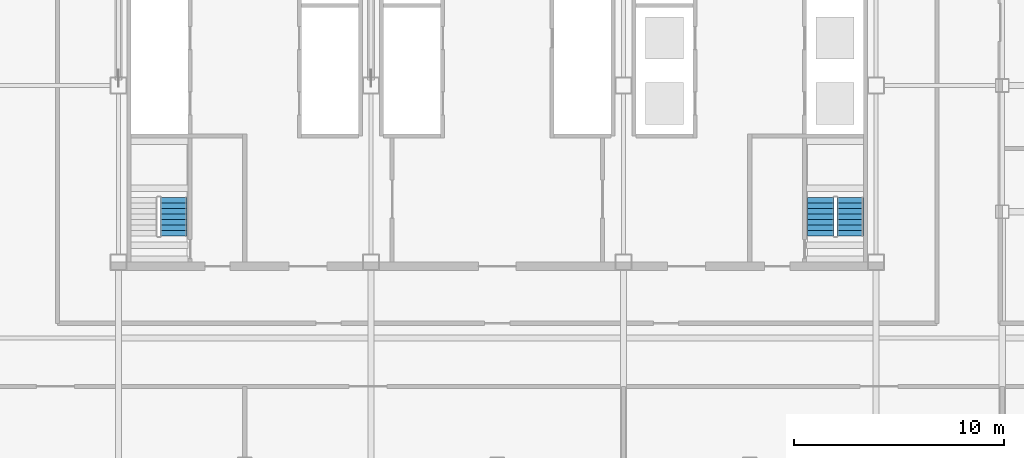
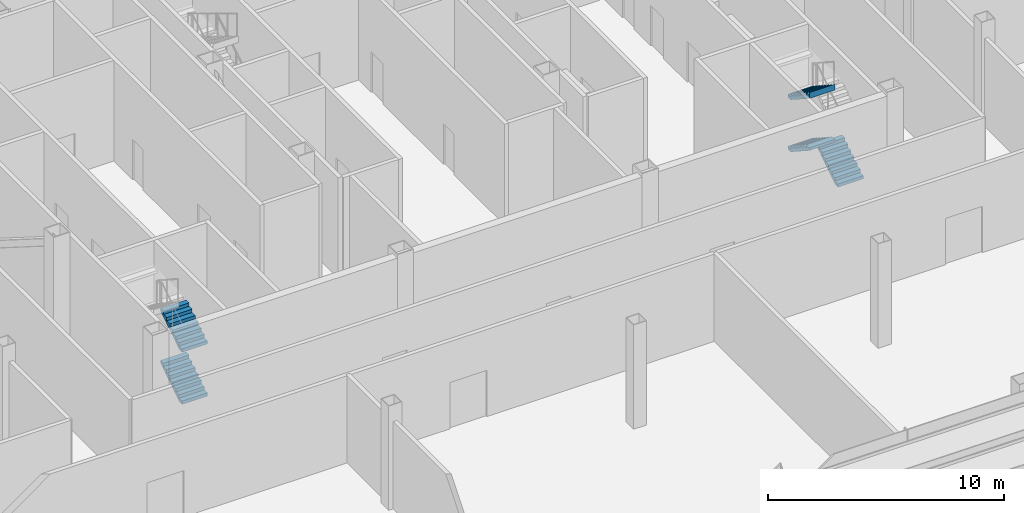
# One storey, part 19 of 24: 5 stair flights, 2 elements without a shape of their own.
"""IFC4 building model written with IfcOpenShell, lengths in metres."""

from ifc_helpers import new_model, si_unit, direction, frame, origin, place, context, subcontext, project, spatial, polyline, outline, extrude, material, type_object, element, aggregate, save


model = new_model("IFC4")

# Units and contexts
model_context = context("Model", 3, precision=1e-05, world=origin(), true_north=direction((0.0, 1.0)))
body_context = subcontext(model_context, "Body", "Model", "MODEL_VIEW")
ifc_project = project(units=[si_unit("LENGTHUNIT", "METRE"), si_unit("AREAUNIT", "SQUARE_METRE"), si_unit("VOLUMEUNIT", "CUBIC_METRE"), si_unit("PLANEANGLEUNIT", "RADIAN"), si_unit("MASSUNIT", "GRAM", prefix="KILO")], contexts=[model_context])

# Site, building, storey
site_placement = place(None, origin())
site = spatial("IfcSite", under=ifc_project, at=site_placement, CompositionType="ELEMENT")
building_placement = place(site_placement, origin())
building = spatial("IfcBuilding", under=site, at=building_placement, Name="Sorahane Residences", CompositionType="ELEMENT")
storey_placement = place(building_placement, frame((0.0, 0.0, 161.800048828125)))
storey = spatial("IfcBuildingStorey", under=building, at=storey_placement, Name="L37", CompositionType="ELEMENT", Elevation=161.800048828125)

# Stair, stair flights
ifc_material_1 = material(Name="Concrete C40", Category="concrete")
stair_type = type_object("IfcStairType", Name="Dog-leg stair 1250 Concrete C40", PredefinedType="HALF_TURN_STAIR", material=ifc_material_1)
stair_1_placement = place(storey_placement, origin())
stair_1 = element("IfcStair", 1, at=stair_1_placement, inside=storey, type_object=stair_type, Name="L37 Stair S4", PredefinedType="HALF_TURN_STAIR")
ifc_material_2 = material(Name="Concrete C40", Category="concrete")
stair_flight_type = type_object("IfcStairFlightType", Name="Stair flight 1250 Concrete C40", PredefinedType="STRAIGHT", material=ifc_material_2)
stair_flight_1_placement = place(storey_placement, frame((8.625, 22.85009765625, 0.0), z_axis=(0.0, 0.0, 1.0), x_axis=(0.0, 1.0, 0.0)))
stair_flight_1 = element("IfcStairFlight", 2, at=stair_flight_1_placement, type_object=stair_flight_type, Name="S4 flight 1", NumberOfRisers=8, NumberOfTreads=7, PredefinedType="STRAIGHT", RiserHeight=0.16875, TreadLength=0.26, context=body_context, shape_type="SweptSolid", body=[
    extrude(outline(polyline([(-0.00146484375, 0.0), (-0.00146484375, 0.002197265625), (-0.00146484375, 0.004150390625), (-0.00146484375, 0.00634765625), (-0.00146484375, 0.00830078125), (-0.00146484375, 0.010498046875), (-0.00146484375, 0.012451171875), (-0.00146484375, 0.0146484375), (-0.00146484375, 0.0166015625), (-0.00146484375, 0.018798828125), (-0.00146484375, 0.020751953125), (-0.00146484375, 0.02294921875), (-0.00146484375, 0.02490234375), (-0.00146484375, 0.027099609375), (-0.00146484375, 0.029052734375), (-0.00146484375, 0.03125), (-0.00146484375, 0.033447265625), (-0.00146484375, 0.035400390625), (-0.00146484375, 0.03759765625), (-0.00146484375, 0.03955078125), (-0.00146484375, 0.041748046875), (-0.00146484375, 0.043701171875), (-0.00146484375, 0.0458984375), (-0.00146484375, 0.0478515625), (-0.00146484375, 0.050048828125), (-0.00146484375, 0.052001953125), (-0.00146484375, 0.05419921875), (-0.00146484375, 0.05615234375), (-0.00146484375, 0.058349609375), (-0.00146484375, 0.060302734375), (-0.00146484375, 0.0625), (-0.00146484375, 0.064697265625), (-0.00146484375, 0.066650390625), (-0.00146484375, 0.06884765625), (-0.00146484375, 0.07080078125), (-0.00146484375, 0.072998046875), (-0.00146484375, 0.074951171875), (-0.00146484375, 0.0771484375), (-0.00146484375, 0.0791015625), (-0.00146484375, 0.081298828125), (-0.00146484375, 0.083251953125), (-0.00146484375, 0.08544921875), (-0.00146484375, 0.08740234375), (-0.00146484375, 0.089599609375), (-0.00146484375, 0.091552734375), (-0.00146484375, 0.09375), (-0.00146484375, 0.095947265625), (-0.00146484375, 0.097900390625), (-0.00146484375, 0.10009765625), (-0.00146484375, 0.10205078125), (-0.00146484375, 0.104248046875), (-0.00146484375, 0.106201171875), (-0.00146484375, 0.1083984375), (-0.00146484375, 0.1103515625), (-0.00146484375, 0.112548828125), (-0.00146484375, 0.114501953125), (-0.00146484375, 0.11669921875), (-0.00146484375, 0.11865234375), (-0.00146484375, 0.120849609375), (-0.00146484375, 0.122802734375), (-0.00146484375, 0.125), (-0.00146484375, 0.127197265625), (-0.00146484375, 0.129150390625), (-0.00146484375, 0.13134765625), (-0.00146484375, 0.13330078125), (-0.00146484375, 0.135498046875), (-0.00146484375, 0.137451171875), (-0.00146484375, 0.1396484375), (-0.00146484375, 0.1416015625), (-0.00146484375, 0.143798828125), (-0.00146484375, 0.145751953125), (-0.00146484375, 0.14794921875), (-0.00146484375, 0.14990234375), (-0.00146484375, 0.152099609375), (-0.00146484375, 0.154052734375), (-0.00146484375, 0.15625), (-0.00146484375, 0.158447265625), (-0.00146484375, 0.160400390625), (-0.00146484375, 0.16259765625), (-0.00146484375, 0.16455078125), (-0.00146484375, 0.166748046875), (-0.00146484375, 0.168701171875), (0.0, 0.168701171875), (0.260009765625, 0.168701171875), (0.260009765625, 0.33740234375), (0.52001953125, 0.33740234375), (0.52001953125, 0.50634765625), (0.780029296875, 0.50634765625), (0.780029296875, 0.675048828125), (1.0400390625, 0.675048828125), (1.0400390625, 0.84375), (1.300048828125, 0.84375), (1.300048828125, 1.012451171875), (1.56005859375, 1.012451171875), (1.56005859375, 1.18115234375), (1.820068359375, 1.18115234375), (1.820068359375, 1.35009765625), (1.820068359375, 1.34619140625), (1.820068359375, 1.34228515625), (1.820068359375, 1.33837890625), (1.820068359375, 1.334716796875), (1.820068359375, 1.330810546875), (1.820068359375, 1.326904296875), (1.820068359375, 1.322998046875), (1.820068359375, 1.319091796875), (1.820068359375, 1.3154296875), (1.820068359375, 1.3115234375), (1.820068359375, 1.3076171875), (1.820068359375, 1.3037109375), (1.820068359375, 1.300048828125), (1.820068359375, 1.296142578125), (1.820068359375, 1.292236328125), (1.820068359375, 1.288330078125), (1.820068359375, 1.284423828125), (1.820068359375, 1.28076171875), (1.820068359375, 1.27685546875), (1.820068359375, 1.27294921875), (1.820068359375, 1.26904296875), (1.820068359375, 1.265380859375), (1.820068359375, 1.261474609375), (1.820068359375, 1.257568359375), (1.820068359375, 1.253662109375), (1.820068359375, 1.249755859375), (1.820068359375, 1.24609375), (1.820068359375, 1.2421875), (1.820068359375, 1.23828125), (1.820068359375, 1.234375), (1.820068359375, 1.230712890625), (1.820068359375, 1.226806640625), (1.820068359375, 1.222900390625), (1.820068359375, 1.218994140625), (1.820068359375, 1.215087890625), (1.820068359375, 1.21142578125), (1.820068359375, 1.20751953125), (1.820068359375, 1.20361328125), (1.820068359375, 1.19970703125), (1.820068359375, 1.196044921875), (1.820068359375, 1.192138671875), (1.820068359375, 1.188232421875), (1.820068359375, 1.184326171875), (1.820068359375, 1.1806640625), (1.820068359375, 1.1767578125), (1.820068359375, 1.1728515625), (1.820068359375, 1.1689453125), (1.820068359375, 1.1650390625), (1.820068359375, 1.161376953125), (1.820068359375, 1.157470703125), (1.820068359375, 1.153564453125), (1.820068359375, 1.149658203125), (1.820068359375, 1.14599609375), (1.820068359375, 1.14208984375), (1.820068359375, 1.13818359375), (1.820068359375, 1.13427734375), (1.820068359375, 1.13037109375), (1.820068359375, 1.126708984375), (1.820068359375, 1.122802734375), (1.820068359375, 1.118896484375), (1.820068359375, 1.114990234375), (1.820068359375, 1.111328125), (1.820068359375, 1.107421875), (1.820068359375, 1.103515625), (1.820068359375, 1.099609375), (1.820068359375, 1.095703125), (1.820068359375, 1.092041015625), (1.820068359375, 1.088134765625), (1.820068359375, 1.084228515625), (1.820068359375, 1.080322265625), (1.820068359375, 1.07666015625), (1.820068359375, 1.07275390625), (1.820068359375, 1.06884765625), (1.820068359375, 1.06494140625), (1.820068359375, 1.061279296875), (1.820068359375, 1.057373046875), (1.820068359375, 1.053466796875), (1.820068359375, 1.049560546875), (1.820068359375, 1.045654296875), (1.820068359375, 1.0419921875), (1.820068359375, 1.0380859375), (1.642333984375, 0.922607421875), (1.464599609375, 0.807373046875), (1.286865234375, 0.692138671875), (1.109130859375, 0.57666015625), (0.931396484375, 0.46142578125), (0.753662109375, 0.345947265625), (0.575927734375, 0.230712890625), (0.3984375, 0.115234375), (0.220703125, 0.0), (-0.00146484375, 0.0)])), frame((0.0, 0.625, 0.0), z_axis=(0.0, -1.0, 0.0), x_axis=(1.0, 0.0, 0.0)), (0.0, 0.0, 1.0), 1.25),
])
stair_flight_2_placement = place(storey_placement, frame((8.625, 22.85009765625, 2.699951171875), z_axis=(0.0, 0.0, 1.0), x_axis=(0.0, 1.0, 0.0)))
stair_flight_2 = element("IfcStairFlight", 3, at=stair_flight_2_placement, type_object=stair_flight_type, Name="S4 flight 3", NumberOfRisers=8, NumberOfTreads=7, PredefinedType="STRAIGHT", RiserHeight=0.16875, TreadLength=0.26, context=body_context, shape_type="SweptSolid", body=[
    extrude(outline(polyline([(0.0, 0.0), (0.0, 0.002197265625), (0.0, 0.004150390625), (0.0, 0.00634765625), (0.0, 0.00830078125), (0.0, 0.010498046875), (0.0, 0.012451171875), (0.0, 0.0146484375), (0.0, 0.0166015625), (0.0, 0.018798828125), (0.0, 0.020751953125), (0.0, 0.02294921875), (0.0, 0.02490234375), (0.0, 0.027099609375), (0.0, 0.029052734375), (0.0, 0.03125), (0.0, 0.033447265625), (0.0, 0.035400390625), (0.0, 0.03759765625), (0.0, 0.03955078125), (0.0, 0.041748046875), (0.0, 0.043701171875), (0.0, 0.0458984375), (0.0, 0.0478515625), (0.0, 0.050048828125), (0.0, 0.052001953125), (0.0, 0.05419921875), (0.0, 0.05615234375), (0.0, 0.058349609375), (0.0, 0.060302734375), (0.0, 0.0625), (0.0, 0.064697265625), (0.0, 0.066650390625), (0.0, 0.06884765625), (0.0, 0.07080078125), (0.0, 0.072998046875), (0.0, 0.074951171875), (0.0, 0.0771484375), (0.0, 0.0791015625), (0.0, 0.081298828125), (0.0, 0.083251953125), (0.0, 0.08544921875), (0.0, 0.08740234375), (0.0, 0.089599609375), (0.0, 0.091552734375), (0.0, 0.09375), (0.0, 0.095947265625), (0.0, 0.097900390625), (0.0, 0.10009765625), (0.0, 0.10205078125), (0.0, 0.104248046875), (0.0, 0.106201171875), (0.0, 0.1083984375), (0.0, 0.1103515625), (0.0, 0.112548828125), (0.0, 0.114501953125), (0.0, 0.11669921875), (0.0, 0.11865234375), (0.0, 0.120849609375), (0.0, 0.122802734375), (0.0, 0.125), (0.0, 0.127197265625), (0.0, 0.129150390625), (0.0, 0.13134765625), (0.0, 0.13330078125), (0.0, 0.135498046875), (0.0, 0.137451171875), (0.0, 0.1396484375), (0.0, 0.1416015625), (0.0, 0.143798828125), (0.0, 0.145751953125), (0.0, 0.14794921875), (0.0, 0.14990234375), (0.0, 0.152099609375), (0.0, 0.154052734375), (0.0, 0.15625), (0.0, 0.158447265625), (0.0, 0.160400390625), (0.0, 0.16259765625), (0.0, 0.16455078125), (0.0, 0.166748046875), (0.0, 0.168701171875), (0.260009765625, 0.168701171875), (0.260009765625, 0.33740234375), (0.52001953125, 0.33740234375), (0.52001953125, 0.50634765625), (0.780029296875, 0.50634765625), (0.780029296875, 0.675048828125), (1.0400390625, 0.675048828125), (1.0400390625, 0.84375), (1.300048828125, 0.84375), (1.300048828125, 1.012451171875), (1.56005859375, 1.012451171875), (1.56005859375, 1.18115234375), (1.820068359375, 1.18115234375), (1.820068359375, 1.35009765625), (1.820068359375, 1.34619140625), (1.820068359375, 1.34228515625), (1.820068359375, 1.33837890625), (1.820068359375, 1.334716796875), (1.820068359375, 1.330810546875), (1.820068359375, 1.326904296875), (1.820068359375, 1.322998046875), (1.820068359375, 1.319091796875), (1.820068359375, 1.3154296875), (1.820068359375, 1.3115234375), (1.820068359375, 1.3076171875), (1.820068359375, 1.3037109375), (1.820068359375, 1.300048828125), (1.820068359375, 1.296142578125), (1.820068359375, 1.292236328125), (1.820068359375, 1.288330078125), (1.820068359375, 1.284423828125), (1.820068359375, 1.28076171875), (1.820068359375, 1.27685546875), (1.820068359375, 1.27294921875), (1.820068359375, 1.26904296875), (1.820068359375, 1.265380859375), (1.820068359375, 1.261474609375), (1.820068359375, 1.257568359375), (1.820068359375, 1.253662109375), (1.820068359375, 1.249755859375), (1.820068359375, 1.24609375), (1.820068359375, 1.2421875), (1.820068359375, 1.23828125), (1.820068359375, 1.234375), (1.820068359375, 1.230712890625), (1.820068359375, 1.226806640625), (1.820068359375, 1.222900390625), (1.820068359375, 1.218994140625), (1.820068359375, 1.215087890625), (1.820068359375, 1.21142578125), (1.820068359375, 1.20751953125), (1.820068359375, 1.20361328125), (1.820068359375, 1.19970703125), (1.820068359375, 1.196044921875), (1.820068359375, 1.192138671875), (1.820068359375, 1.188232421875), (1.820068359375, 1.184326171875), (1.820068359375, 1.1806640625), (1.820068359375, 1.1767578125), (1.820068359375, 1.1728515625), (1.820068359375, 1.1689453125), (1.820068359375, 1.1650390625), (1.820068359375, 1.161376953125), (1.820068359375, 1.157470703125), (1.820068359375, 1.153564453125), (1.820068359375, 1.149658203125), (1.820068359375, 1.14599609375), (1.820068359375, 1.14208984375), (1.820068359375, 1.13818359375), (1.820068359375, 1.13427734375), (1.820068359375, 1.13037109375), (1.820068359375, 1.126708984375), (1.820068359375, 1.122802734375), (1.820068359375, 1.118896484375), (1.820068359375, 1.114990234375), (1.820068359375, 1.111328125), (1.820068359375, 1.107421875), (1.820068359375, 1.103515625), (1.820068359375, 1.099609375), (1.820068359375, 1.095703125), (1.820068359375, 1.092041015625), (1.820068359375, 1.088134765625), (1.820068359375, 1.084228515625), (1.820068359375, 1.080322265625), (1.820068359375, 1.07666015625), (1.820068359375, 1.07275390625), (1.820068359375, 1.06884765625), (1.820068359375, 1.06494140625), (1.820068359375, 1.061279296875), (1.820068359375, 1.057373046875), (1.820068359375, 1.053466796875), (1.820068359375, 1.049560546875), (1.820068359375, 1.045654296875), (1.820068359375, 1.0419921875), (1.820068359375, 1.0380859375), (1.6201171875, 0.908203125), (1.420166015625, 0.778564453125), (1.22021484375, 0.648681640625), (1.020263671875, 0.51904296875), (0.8203125, 0.38916015625), (0.620361328125, 0.259521484375), (0.420654296875, 0.129638671875), (0.220703125, 0.0), (0.0, 0.0)])), frame((0.0, 0.625, 0.0), z_axis=(0.0, -1.0, 0.0), x_axis=(1.0, 0.0, 0.0)), (0.0, 0.0, 1.0), 1.25),
])
aggregate(stair_1, [stair_flight_1, stair_flight_2])

stair_2_placement = place(storey_placement, origin())
stair_2 = element("IfcStair", 4, at=stair_2_placement, inside=storey, type_object=stair_type, Name="L37 Stair S5", PredefinedType="HALF_TURN_STAIR")
stair_flight_3_placement = place(storey_placement, frame((40.77490234375, 22.85009765625, 0.0), z_axis=(0.0, 0.0, 1.0), x_axis=(0.0, 1.0, 0.0)))
stair_flight_3 = element("IfcStairFlight", 5, at=stair_flight_3_placement, type_object=stair_flight_type, Name="S5 flight 1", NumberOfRisers=8, NumberOfTreads=7, PredefinedType="STRAIGHT", RiserHeight=0.16875, TreadLength=0.26, context=body_context, shape_type="SweptSolid", body=[
    extrude(outline(polyline([(-0.00146484375, 0.0), (-0.00146484375, 0.002197265625), (-0.00146484375, 0.004150390625), (-0.00146484375, 0.00634765625), (-0.00146484375, 0.00830078125), (-0.00146484375, 0.010498046875), (-0.00146484375, 0.012451171875), (-0.00146484375, 0.0146484375), (-0.00146484375, 0.0166015625), (-0.00146484375, 0.018798828125), (-0.00146484375, 0.020751953125), (-0.00146484375, 0.02294921875), (-0.00146484375, 0.02490234375), (-0.00146484375, 0.027099609375), (-0.00146484375, 0.029052734375), (-0.00146484375, 0.03125), (-0.00146484375, 0.033447265625), (-0.00146484375, 0.035400390625), (-0.00146484375, 0.03759765625), (-0.00146484375, 0.03955078125), (-0.00146484375, 0.041748046875), (-0.00146484375, 0.043701171875), (-0.00146484375, 0.0458984375), (-0.00146484375, 0.0478515625), (-0.00146484375, 0.050048828125), (-0.00146484375, 0.052001953125), (-0.00146484375, 0.05419921875), (-0.00146484375, 0.05615234375), (-0.00146484375, 0.058349609375), (-0.00146484375, 0.060302734375), (-0.00146484375, 0.0625), (-0.00146484375, 0.064697265625), (-0.00146484375, 0.066650390625), (-0.00146484375, 0.06884765625), (-0.00146484375, 0.07080078125), (-0.00146484375, 0.072998046875), (-0.00146484375, 0.074951171875), (-0.00146484375, 0.0771484375), (-0.00146484375, 0.0791015625), (-0.00146484375, 0.081298828125), (-0.00146484375, 0.083251953125), (-0.00146484375, 0.08544921875), (-0.00146484375, 0.08740234375), (-0.00146484375, 0.089599609375), (-0.00146484375, 0.091552734375), (-0.00146484375, 0.09375), (-0.00146484375, 0.095947265625), (-0.00146484375, 0.097900390625), (-0.00146484375, 0.10009765625), (-0.00146484375, 0.10205078125), (-0.00146484375, 0.104248046875), (-0.00146484375, 0.106201171875), (-0.00146484375, 0.1083984375), (-0.00146484375, 0.1103515625), (-0.00146484375, 0.112548828125), (-0.00146484375, 0.114501953125), (-0.00146484375, 0.11669921875), (-0.00146484375, 0.11865234375), (-0.00146484375, 0.120849609375), (-0.00146484375, 0.122802734375), (-0.00146484375, 0.125), (-0.00146484375, 0.127197265625), (-0.00146484375, 0.129150390625), (-0.00146484375, 0.13134765625), (-0.00146484375, 0.13330078125), (-0.00146484375, 0.135498046875), (-0.00146484375, 0.137451171875), (-0.00146484375, 0.1396484375), (-0.00146484375, 0.1416015625), (-0.00146484375, 0.143798828125), (-0.00146484375, 0.145751953125), (-0.00146484375, 0.14794921875), (-0.00146484375, 0.14990234375), (-0.00146484375, 0.152099609375), (-0.00146484375, 0.154052734375), (-0.00146484375, 0.15625), (-0.00146484375, 0.158447265625), (-0.00146484375, 0.160400390625), (-0.00146484375, 0.16259765625), (-0.00146484375, 0.16455078125), (-0.00146484375, 0.166748046875), (-0.00146484375, 0.168701171875), (0.0, 0.168701171875), (0.260009765625, 0.168701171875), (0.260009765625, 0.33740234375), (0.52001953125, 0.33740234375), (0.52001953125, 0.50634765625), (0.780029296875, 0.50634765625), (0.780029296875, 0.675048828125), (1.0400390625, 0.675048828125), (1.0400390625, 0.84375), (1.300048828125, 0.84375), (1.300048828125, 1.012451171875), (1.56005859375, 1.012451171875), (1.56005859375, 1.18115234375), (1.820068359375, 1.18115234375), (1.820068359375, 1.35009765625), (1.820068359375, 1.34619140625), (1.820068359375, 1.34228515625), (1.820068359375, 1.33837890625), (1.820068359375, 1.334716796875), (1.820068359375, 1.330810546875), (1.820068359375, 1.326904296875), (1.820068359375, 1.322998046875), (1.820068359375, 1.319091796875), (1.820068359375, 1.3154296875), (1.820068359375, 1.3115234375), (1.820068359375, 1.3076171875), (1.820068359375, 1.3037109375), (1.820068359375, 1.300048828125), (1.820068359375, 1.296142578125), (1.820068359375, 1.292236328125), (1.820068359375, 1.288330078125), (1.820068359375, 1.284423828125), (1.820068359375, 1.28076171875), (1.820068359375, 1.27685546875), (1.820068359375, 1.27294921875), (1.820068359375, 1.26904296875), (1.820068359375, 1.265380859375), (1.820068359375, 1.261474609375), (1.820068359375, 1.257568359375), (1.820068359375, 1.253662109375), (1.820068359375, 1.249755859375), (1.820068359375, 1.24609375), (1.820068359375, 1.2421875), (1.820068359375, 1.23828125), (1.820068359375, 1.234375), (1.820068359375, 1.230712890625), (1.820068359375, 1.226806640625), (1.820068359375, 1.222900390625), (1.820068359375, 1.218994140625), (1.820068359375, 1.215087890625), (1.820068359375, 1.21142578125), (1.820068359375, 1.20751953125), (1.820068359375, 1.20361328125), (1.820068359375, 1.19970703125), (1.820068359375, 1.196044921875), (1.820068359375, 1.192138671875), (1.820068359375, 1.188232421875), (1.820068359375, 1.184326171875), (1.820068359375, 1.1806640625), (1.820068359375, 1.1767578125), (1.820068359375, 1.1728515625), (1.820068359375, 1.1689453125), (1.820068359375, 1.1650390625), (1.820068359375, 1.161376953125), (1.820068359375, 1.157470703125), (1.820068359375, 1.153564453125), (1.820068359375, 1.149658203125), (1.820068359375, 1.14599609375), (1.820068359375, 1.14208984375), (1.820068359375, 1.13818359375), (1.820068359375, 1.13427734375), (1.820068359375, 1.13037109375), (1.820068359375, 1.126708984375), (1.820068359375, 1.122802734375), (1.820068359375, 1.118896484375), (1.820068359375, 1.114990234375), (1.820068359375, 1.111328125), (1.820068359375, 1.107421875), (1.820068359375, 1.103515625), (1.820068359375, 1.099609375), (1.820068359375, 1.095703125), (1.820068359375, 1.092041015625), (1.820068359375, 1.088134765625), (1.820068359375, 1.084228515625), (1.820068359375, 1.080322265625), (1.820068359375, 1.07666015625), (1.820068359375, 1.07275390625), (1.820068359375, 1.06884765625), (1.820068359375, 1.06494140625), (1.820068359375, 1.061279296875), (1.820068359375, 1.057373046875), (1.820068359375, 1.053466796875), (1.820068359375, 1.049560546875), (1.820068359375, 1.045654296875), (1.820068359375, 1.0419921875), (1.820068359375, 1.0380859375), (1.642333984375, 0.922607421875), (1.464599609375, 0.807373046875), (1.286865234375, 0.692138671875), (1.109130859375, 0.57666015625), (0.931396484375, 0.46142578125), (0.753662109375, 0.345947265625), (0.575927734375, 0.230712890625), (0.3984375, 0.115234375), (0.220703125, 0.0), (-0.00146484375, 0.0)])), frame((0.0, 0.625, 0.0), z_axis=(0.0, -1.0, 0.0), x_axis=(1.0, 0.0, 0.0)), (0.0, 0.0, 1.0), 1.25),
])
stair_flight_4_placement = place(storey_placement, frame((39.375, 24.669921875, 1.349853515625), z_axis=(0.0, 0.0, 1.0), x_axis=(0.0, -1.0, 0.0)))
stair_flight_4 = element("IfcStairFlight", 6, at=stair_flight_4_placement, type_object=stair_flight_type, Name="S5 flight 2", NumberOfRisers=8, NumberOfTreads=7, PredefinedType="STRAIGHT", RiserHeight=0.16875, TreadLength=0.26, context=body_context, shape_type="SweptSolid", body=[
    extrude(outline(polyline([(0.0, 0.0), (0.0, 0.002197265625), (0.0, 0.004150390625), (0.0, 0.00634765625), (0.0, 0.00830078125), (0.0, 0.010498046875), (0.0, 0.012451171875), (0.0, 0.0146484375), (0.0, 0.0166015625), (0.0, 0.018798828125), (0.0, 0.020751953125), (0.0, 0.02294921875), (0.0, 0.02490234375), (0.0, 0.027099609375), (0.0, 0.029052734375), (0.0, 0.03125), (0.0, 0.033447265625), (0.0, 0.035400390625), (0.0, 0.03759765625), (0.0, 0.03955078125), (0.0, 0.041748046875), (0.0, 0.043701171875), (0.0, 0.0458984375), (0.0, 0.0478515625), (0.0, 0.050048828125), (0.0, 0.052001953125), (0.0, 0.05419921875), (0.0, 0.05615234375), (0.0, 0.058349609375), (0.0, 0.060302734375), (0.0, 0.0625), (0.0, 0.064697265625), (0.0, 0.066650390625), (0.0, 0.06884765625), (0.0, 0.07080078125), (0.0, 0.072998046875), (0.0, 0.074951171875), (0.0, 0.0771484375), (0.0, 0.0791015625), (0.0, 0.081298828125), (0.0, 0.083251953125), (0.0, 0.08544921875), (0.0, 0.08740234375), (0.0, 0.089599609375), (0.0, 0.091552734375), (0.0, 0.09375), (0.0, 0.095947265625), (0.0, 0.097900390625), (0.0, 0.10009765625), (0.0, 0.10205078125), (0.0, 0.104248046875), (0.0, 0.106201171875), (0.0, 0.1083984375), (0.0, 0.1103515625), (0.0, 0.112548828125), (0.0, 0.114501953125), (0.0, 0.11669921875), (0.0, 0.11865234375), (0.0, 0.120849609375), (0.0, 0.122802734375), (0.0, 0.125), (0.0, 0.127197265625), (0.0, 0.129150390625), (0.0, 0.13134765625), (0.0, 0.13330078125), (0.0, 0.135498046875), (0.0, 0.137451171875), (0.0, 0.1396484375), (0.0, 0.1416015625), (0.0, 0.143798828125), (0.0, 0.145751953125), (0.0, 0.14794921875), (0.0, 0.14990234375), (0.0, 0.152099609375), (0.0, 0.154052734375), (0.0, 0.15625), (0.0, 0.158447265625), (0.0, 0.160400390625), (0.0, 0.16259765625), (0.0, 0.16455078125), (0.0, 0.166748046875), (0.0, 0.168701171875), (0.260009765625, 0.168701171875), (0.260009765625, 0.33740234375), (0.52001953125, 0.33740234375), (0.52001953125, 0.50634765625), (0.780029296875, 0.50634765625), (0.780029296875, 0.675048828125), (1.0400390625, 0.675048828125), (1.0400390625, 0.84375), (1.300048828125, 0.84375), (1.300048828125, 1.012451171875), (1.56005859375, 1.012451171875), (1.56005859375, 1.18115234375), (1.820068359375, 1.18115234375), (1.820068359375, 1.35009765625), (1.820068359375, 1.34619140625), (1.820068359375, 1.34228515625), (1.820068359375, 1.33837890625), (1.820068359375, 1.334716796875), (1.820068359375, 1.330810546875), (1.820068359375, 1.326904296875), (1.820068359375, 1.322998046875), (1.820068359375, 1.319091796875), (1.820068359375, 1.3154296875), (1.820068359375, 1.3115234375), (1.820068359375, 1.3076171875), (1.820068359375, 1.3037109375), (1.820068359375, 1.300048828125), (1.820068359375, 1.296142578125), (1.820068359375, 1.292236328125), (1.820068359375, 1.288330078125), (1.820068359375, 1.284423828125), (1.820068359375, 1.28076171875), (1.820068359375, 1.27685546875), (1.820068359375, 1.27294921875), (1.820068359375, 1.26904296875), (1.820068359375, 1.265380859375), (1.820068359375, 1.261474609375), (1.820068359375, 1.257568359375), (1.820068359375, 1.253662109375), (1.820068359375, 1.249755859375), (1.820068359375, 1.24609375), (1.820068359375, 1.2421875), (1.820068359375, 1.23828125), (1.820068359375, 1.234375), (1.820068359375, 1.230712890625), (1.820068359375, 1.226806640625), (1.820068359375, 1.222900390625), (1.820068359375, 1.218994140625), (1.820068359375, 1.215087890625), (1.820068359375, 1.21142578125), (1.820068359375, 1.20751953125), (1.820068359375, 1.20361328125), (1.820068359375, 1.19970703125), (1.820068359375, 1.196044921875), (1.820068359375, 1.192138671875), (1.820068359375, 1.188232421875), (1.820068359375, 1.184326171875), (1.820068359375, 1.1806640625), (1.820068359375, 1.1767578125), (1.820068359375, 1.1728515625), (1.820068359375, 1.1689453125), (1.820068359375, 1.1650390625), (1.820068359375, 1.161376953125), (1.820068359375, 1.157470703125), (1.820068359375, 1.153564453125), (1.820068359375, 1.149658203125), (1.820068359375, 1.14599609375), (1.820068359375, 1.14208984375), (1.820068359375, 1.13818359375), (1.820068359375, 1.13427734375), (1.820068359375, 1.13037109375), (1.820068359375, 1.126708984375), (1.820068359375, 1.122802734375), (1.820068359375, 1.118896484375), (1.820068359375, 1.114990234375), (1.820068359375, 1.111328125), (1.820068359375, 1.107421875), (1.820068359375, 1.103515625), (1.820068359375, 1.099609375), (1.820068359375, 1.095703125), (1.820068359375, 1.092041015625), (1.820068359375, 1.088134765625), (1.820068359375, 1.084228515625), (1.820068359375, 1.080322265625), (1.820068359375, 1.07666015625), (1.820068359375, 1.07275390625), (1.820068359375, 1.06884765625), (1.820068359375, 1.06494140625), (1.820068359375, 1.061279296875), (1.820068359375, 1.057373046875), (1.820068359375, 1.053466796875), (1.820068359375, 1.049560546875), (1.820068359375, 1.045654296875), (1.820068359375, 1.0419921875), (1.820068359375, 1.0380859375), (1.6201171875, 0.908203125), (1.420166015625, 0.778564453125), (1.22021484375, 0.648681640625), (1.020263671875, 0.51904296875), (0.8203125, 0.38916015625), (0.620361328125, 0.259521484375), (0.420654296875, 0.129638671875), (0.220703125, 0.0), (0.0, 0.0)])), frame((0.0, 0.625, 0.0), z_axis=(0.0, -1.0, 0.0), x_axis=(1.0, 0.0, 0.0)), (0.0, 0.0, 1.0), 1.25),
])
stair_flight_5_placement = place(storey_placement, frame((39.375, 24.669921875, 4.050048828125), z_axis=(0.0, 0.0, 1.0), x_axis=(0.0, -1.0, 0.0)))
stair_flight_5 = element("IfcStairFlight", 7, at=stair_flight_5_placement, type_object=stair_flight_type, Name="S5 flight 4", NumberOfRisers=8, NumberOfTreads=7, PredefinedType="STRAIGHT", RiserHeight=0.16875, TreadLength=0.26, context=body_context, shape_type="SweptSolid", body=[
    extrude(outline(polyline([(0.0, 0.0), (0.0, 0.002197265625), (0.0, 0.004150390625), (0.0, 0.00634765625), (0.0, 0.00830078125), (0.0, 0.010498046875), (0.0, 0.012451171875), (0.0, 0.0146484375), (0.0, 0.0166015625), (0.0, 0.018798828125), (0.0, 0.020751953125), (0.0, 0.02294921875), (0.0, 0.02490234375), (0.0, 0.027099609375), (0.0, 0.029052734375), (0.0, 0.03125), (0.0, 0.033447265625), (0.0, 0.035400390625), (0.0, 0.03759765625), (0.0, 0.03955078125), (0.0, 0.041748046875), (0.0, 0.043701171875), (0.0, 0.0458984375), (0.0, 0.0478515625), (0.0, 0.050048828125), (0.0, 0.052001953125), (0.0, 0.05419921875), (0.0, 0.05615234375), (0.0, 0.058349609375), (0.0, 0.060302734375), (0.0, 0.0625), (0.0, 0.064697265625), (0.0, 0.066650390625), (0.0, 0.06884765625), (0.0, 0.07080078125), (0.0, 0.072998046875), (0.0, 0.074951171875), (0.0, 0.0771484375), (0.0, 0.0791015625), (0.0, 0.081298828125), (0.0, 0.083251953125), (0.0, 0.08544921875), (0.0, 0.08740234375), (0.0, 0.089599609375), (0.0, 0.091552734375), (0.0, 0.09375), (0.0, 0.095947265625), (0.0, 0.097900390625), (0.0, 0.10009765625), (0.0, 0.10205078125), (0.0, 0.104248046875), (0.0, 0.106201171875), (0.0, 0.1083984375), (0.0, 0.1103515625), (0.0, 0.112548828125), (0.0, 0.114501953125), (0.0, 0.11669921875), (0.0, 0.11865234375), (0.0, 0.120849609375), (0.0, 0.122802734375), (0.0, 0.125), (0.0, 0.127197265625), (0.0, 0.129150390625), (0.0, 0.13134765625), (0.0, 0.13330078125), (0.0, 0.135498046875), (0.0, 0.137451171875), (0.0, 0.1396484375), (0.0, 0.1416015625), (0.0, 0.143798828125), (0.0, 0.145751953125), (0.0, 0.14794921875), (0.0, 0.14990234375), (0.0, 0.152099609375), (0.0, 0.154052734375), (0.0, 0.15625), (0.0, 0.158447265625), (0.0, 0.160400390625), (0.0, 0.16259765625), (0.0, 0.16455078125), (0.0, 0.166748046875), (0.0, 0.168701171875), (0.260009765625, 0.168701171875), (0.260009765625, 0.33740234375), (0.52001953125, 0.33740234375), (0.52001953125, 0.50634765625), (0.780029296875, 0.50634765625), (0.780029296875, 0.675048828125), (1.0400390625, 0.675048828125), (1.0400390625, 0.84375), (1.300048828125, 0.84375), (1.300048828125, 1.012451171875), (1.56005859375, 1.012451171875), (1.56005859375, 1.18115234375), (1.820068359375, 1.18115234375), (1.820068359375, 1.35009765625), (1.821533203125, 1.35009765625), (1.821533203125, 1.34619140625), (1.821533203125, 1.34228515625), (1.821533203125, 1.33837890625), (1.821533203125, 1.334716796875), (1.821533203125, 1.330810546875), (1.821533203125, 1.326904296875), (1.821533203125, 1.322998046875), (1.821533203125, 1.319091796875), (1.821533203125, 1.3154296875), (1.821533203125, 1.3115234375), (1.821533203125, 1.3076171875), (1.821533203125, 1.3037109375), (1.821533203125, 1.300048828125), (1.821533203125, 1.296142578125), (1.821533203125, 1.292236328125), (1.821533203125, 1.288330078125), (1.821533203125, 1.284423828125), (1.821533203125, 1.28076171875), (1.821533203125, 1.27685546875), (1.821533203125, 1.27294921875), (1.821533203125, 1.26904296875), (1.821533203125, 1.265380859375), (1.821533203125, 1.261474609375), (1.821533203125, 1.257568359375), (1.821533203125, 1.253662109375), (1.821533203125, 1.249755859375), (1.821533203125, 1.24609375), (1.821533203125, 1.2421875), (1.821533203125, 1.23828125), (1.821533203125, 1.234375), (1.821533203125, 1.230712890625), (1.821533203125, 1.226806640625), (1.821533203125, 1.222900390625), (1.821533203125, 1.218994140625), (1.821533203125, 1.215087890625), (1.821533203125, 1.21142578125), (1.821533203125, 1.20751953125), (1.821533203125, 1.20361328125), (1.821533203125, 1.19970703125), (1.821533203125, 1.196044921875), (1.821533203125, 1.192138671875), (1.821533203125, 1.188232421875), (1.821533203125, 1.184326171875), (1.821533203125, 1.1806640625), (1.821533203125, 1.1767578125), (1.821533203125, 1.1728515625), (1.821533203125, 1.1689453125), (1.821533203125, 1.1650390625), (1.821533203125, 1.161376953125), (1.821533203125, 1.157470703125), (1.821533203125, 1.153564453125), (1.821533203125, 1.149658203125), (1.821533203125, 1.14599609375), (1.821533203125, 1.14208984375), (1.821533203125, 1.13818359375), (1.821533203125, 1.13427734375), (1.821533203125, 1.13037109375), (1.821533203125, 1.126708984375), (1.821533203125, 1.122802734375), (1.821533203125, 1.118896484375), (1.821533203125, 1.114990234375), (1.821533203125, 1.111328125), (1.821533203125, 1.107421875), (1.821533203125, 1.103515625), (1.821533203125, 1.099609375), (1.821533203125, 1.095703125), (1.821533203125, 1.092041015625), (1.821533203125, 1.088134765625), (1.821533203125, 1.084228515625), (1.821533203125, 1.080322265625), (1.821533203125, 1.07666015625), (1.821533203125, 1.07275390625), (1.821533203125, 1.06884765625), (1.821533203125, 1.06494140625), (1.821533203125, 1.061279296875), (1.821533203125, 1.057373046875), (1.821533203125, 1.053466796875), (1.821533203125, 1.049560546875), (1.821533203125, 1.045654296875), (1.821533203125, 1.0419921875), (1.821533203125, 1.0380859375), (1.6435546875, 0.922607421875), (1.4658203125, 0.807373046875), (1.287841796875, 0.692138671875), (1.110107421875, 0.57666015625), (0.93212890625, 0.46142578125), (0.754150390625, 0.345947265625), (0.576416015625, 0.230712890625), (0.3984375, 0.115234375), (0.220703125, 0.0), (0.0, 0.0)])), frame((0.0, 0.625, 0.0), z_axis=(0.0, -1.0, 0.0), x_axis=(1.0, 0.0, 0.0)), (0.0, 0.0, 1.0), 1.25),
])
aggregate(stair_2, [stair_flight_3, stair_flight_4, stair_flight_5])

save(model, "model.ifc")
